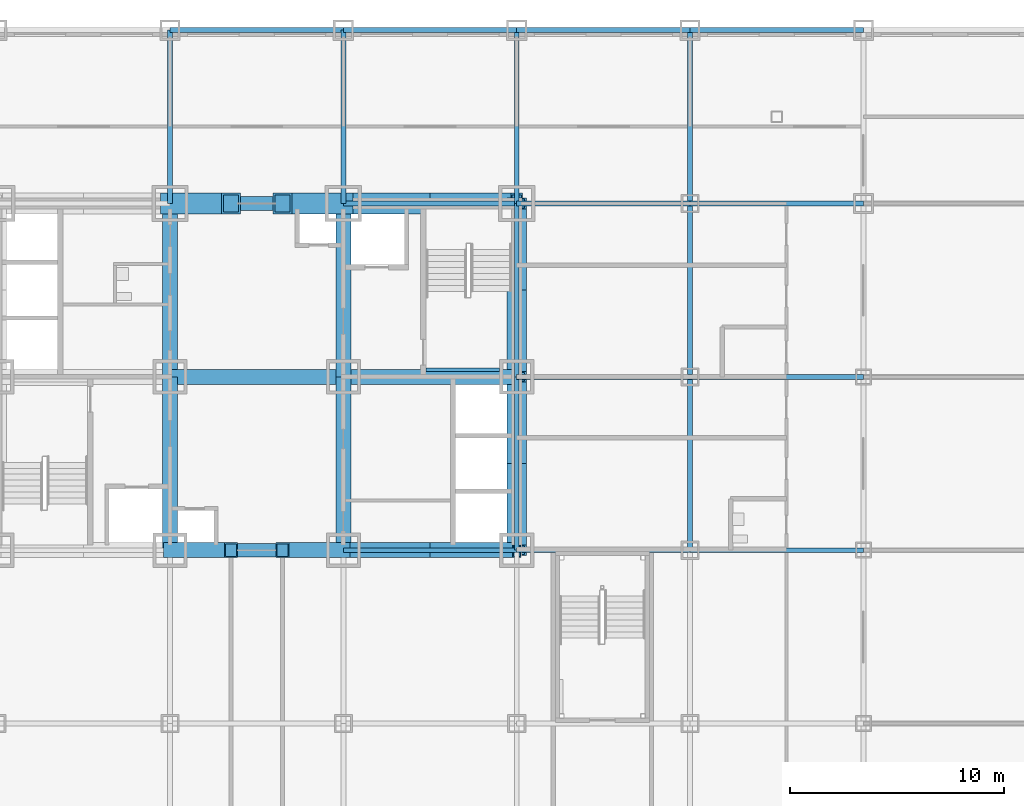
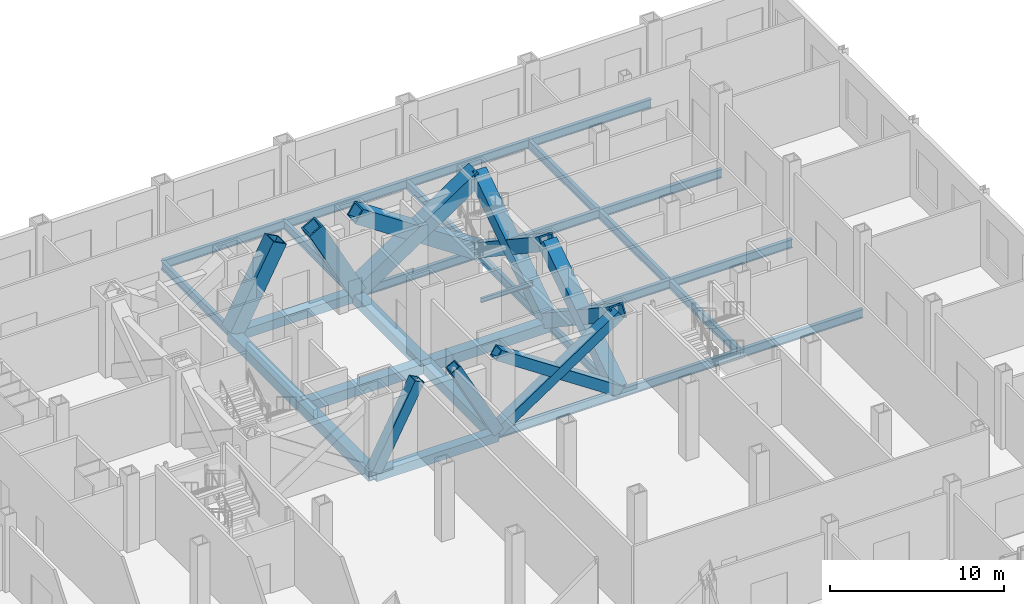
# One storey, part 16 of 30: 29 beams, 12 members.
"""IFC4 building model written with IfcOpenShell, lengths in metres."""

from ifc_helpers import new_model, si_unit, direction, frame, origin, origin_2d, place, context, subcontext, project, spatial, hollow_rectangle, i_section, extrude, material, material_profile, profile_set, type_object, element, save


model = new_model("IFC4")

# Units and contexts
model_context = context("Model", 3, precision=1e-05, world=origin(), true_north=direction((0.0, 1.0)))
body_context = subcontext(model_context, "Body", "Model", "MODEL_VIEW")
ifc_project = project(units=[si_unit("LENGTHUNIT", "METRE"), si_unit("AREAUNIT", "SQUARE_METRE"), si_unit("VOLUMEUNIT", "CUBIC_METRE"), si_unit("PLANEANGLEUNIT", "RADIAN"), si_unit("MASSUNIT", "GRAM", prefix="KILO")], contexts=[model_context])

# Site, building, storey
site_placement = place(None, origin())
site = spatial("IfcSite", under=ifc_project, at=site_placement, CompositionType="ELEMENT")
building_placement = place(site_placement, origin())
building = spatial("IfcBuilding", under=site, at=building_placement, Name="Kopane Lantern Tower", CompositionType="ELEMENT")
storey_placement = place(building_placement, frame((0.0, 0.0, 6.0)))
storey = spatial("IfcBuildingStorey", under=building, at=storey_placement, Name="L01", CompositionType="ELEMENT", Elevation=6.0)

# Members
ifc_material_1 = material(Name="Steel S355JR", Category="steel")
ifc_material_profile_1 = material_profile(ifc_material_1, hollow_rectangle(XDim=1.0, YDim=1.0, WallThickness=0.10009765625, at=origin_2d()), Name="BOX 1000x1000x100")
ifc_profile_set_1 = profile_set([ifc_material_profile_1], Name="Steel S355JR")
member_type_1 = type_object("IfcMemberType", Name="BRACE BOX 1000x1000x100", PredefinedType="BRACE", material=ifc_profile_set_1)
for number, where, z_axis, x_axis, name in (
    (1, (24.300048828125, 40.5, -0.25), (0.46674645747, 0.0, 0.88439117162), (0.0, 1.0, 0.0), "Core brace L01"),
    (2, (32.39990234375, 40.5, -0.25), (-0.46674645747, 0.0, 0.88439117162), (0.0, -1.0, 0.0), "Core brace L01"),
):
    element("IfcMember", number, at=place(storey_placement, frame(where, z_axis=z_axis, x_axis=x_axis)), inside=storey, type_object=member_type_1, Name=name, PredefinedType="BRACE", context=body_context, shape_type="SweptSolid", body=[
        extrude(hollow_rectangle(XDim=1.0, YDim=1.0, WallThickness=0.10009765625, at=origin_2d()), origin(), (0.0, 0.0, 1.0), 6.105712890625),
    ])
for number, where, z_axis, x_axis, name in (
    (3, (32.39990234375, 40.5, -0.25), (0.832058010752, 0.0, 0.55468862143), (0.0, 1.0, 0.0), "Core brace L01"),
    (4, (40.5, 40.5, -0.25), (-0.832058010752, 0.0, 0.55468862143), (0.0, -1.0, 0.0), "Core brace L01"),
):
    element("IfcMember", number, at=place(storey_placement, frame(where, z_axis=z_axis, x_axis=x_axis)), inside=storey, type_object=member_type_1, Name=name, PredefinedType="BRACE", context=body_context, shape_type="SweptSolid", body=[
        extrude(hollow_rectangle(XDim=1.0, YDim=1.0, WallThickness=0.10009765625, at=origin_2d()), origin(), (0.0, 0.0, 1.0), 9.735107421875),
    ])
ifc_material_2 = material(Name="Steel S355JR", Category="steel")
ifc_material_profile_2 = material_profile(ifc_material_2, hollow_rectangle(XDim=0.699951171875, YDim=0.699951171875, WallThickness=0.06005859375, at=origin_2d()), Name="BOX 700x700x60")
ifc_profile_set_2 = profile_set([ifc_material_profile_2], Name="Steel S355JR")
member_type_2 = type_object("IfcMemberType", Name="BRACE BOX 700x700x60", PredefinedType="BRACE", material=ifc_profile_set_2)
for number, where, z_axis, x_axis, name in (
    (5, (24.300048828125, 24.300048828125, -0.25), (0.46674645747, 0.0, 0.88439117162), (0.0, 1.0, 0.0), "Core brace L01"),
    (6, (32.39990234375, 24.300048828125, -0.25), (-0.46674645747, 0.0, 0.88439117162), (0.0, -1.0, 0.0), "Core brace L01"),
):
    element("IfcMember", number, at=place(storey_placement, frame(where, z_axis=z_axis, x_axis=x_axis)), inside=storey, type_object=member_type_2, Name=name, PredefinedType="BRACE", context=body_context, shape_type="SweptSolid", body=[
        extrude(hollow_rectangle(XDim=0.699951171875, YDim=0.699951171875, WallThickness=0.06005859375, at=origin_2d()), origin(), (0.0, 0.0, 1.0), 6.105712890625),
    ])
for number, where, z_axis, x_axis, name in (
    (7, (32.39990234375, 24.300048828125, -0.25), (0.832058010752, 0.0, 0.55468862143), (0.0, 1.0, 0.0), "Core brace L01"),
    (8, (40.5, 24.300048828125, -0.25), (-0.832058010752, 0.0, 0.55468862143), (0.0, -1.0, 0.0), "Core brace L01"),
):
    element("IfcMember", number, at=place(storey_placement, frame(where, z_axis=z_axis, x_axis=x_axis)), inside=storey, type_object=member_type_2, Name=name, PredefinedType="BRACE", context=body_context, shape_type="SweptSolid", body=[
        extrude(hollow_rectangle(XDim=0.699951171875, YDim=0.699951171875, WallThickness=0.06005859375, at=origin_2d()), origin(), (0.0, 0.0, 1.0), 9.735107421875),
    ])
ifc_material_3 = material(Name="Steel S355JR", Category="steel")
ifc_material_profile_3 = material_profile(ifc_material_3, hollow_rectangle(XDim=0.89990234375, YDim=0.89990234375, WallThickness=0.090087890625, at=origin_2d()), Name="BOX 900x900x90")
ifc_profile_set_3 = profile_set([ifc_material_profile_3], Name="Steel S355JR")
member_type_3 = type_object("IfcMemberType", Name="BRACE BOX 900x900x90", PredefinedType="BRACE", material=ifc_profile_set_3)
for number, where, z_axis, x_axis, name in (
    (9, (40.5, 24.300048828125, -0.25), (0.0, 0.832050294338, 0.554700196225), (-1.0, 0.0, 0.0), "Core brace L01"),
    (10, (40.5, 32.39990234375, -0.25), (0.0, -0.832050294338, 0.554700196225), (1.0, 0.0, 0.0), "Core brace L01"),
):
    element("IfcMember", number, at=place(storey_placement, frame(where, z_axis=z_axis, x_axis=x_axis)), inside=storey, type_object=member_type_3, Name=name, PredefinedType="BRACE", context=body_context, shape_type="SweptSolid", body=[
        extrude(hollow_rectangle(XDim=0.89990234375, YDim=0.89990234375, WallThickness=0.090087890625, at=origin_2d()), origin(), (0.0, 0.0, 1.0), 9.73486328125),
    ])
for number, where, z_axis, x_axis, name in (
    (11, (40.5, 32.39990234375, -0.25), (0.0, 0.832058010752, 0.55468862143), (-1.0, 0.0, 0.0), "Core brace L01"),
    (12, (40.5, 40.5, -0.25), (0.0, -0.832058010752, 0.55468862143), (1.0, 0.0, 0.0), "Core brace L01"),
):
    element("IfcMember", number, at=place(storey_placement, frame(where, z_axis=z_axis, x_axis=x_axis)), inside=storey, type_object=member_type_3, Name=name, PredefinedType="BRACE", context=body_context, shape_type="SweptSolid", body=[
        extrude(hollow_rectangle(XDim=0.89990234375, YDim=0.89990234375, WallThickness=0.090087890625, at=origin_2d()), origin(), (0.0, 0.0, 1.0), 9.735107421875),
    ])

# Beams
ifc_material_4 = material(Name="Steel S355JR", Category="steel")
ifc_material_profile_4 = material_profile(ifc_material_4, hollow_rectangle(XDim=0.699951171875, YDim=0.699951171875, WallThickness=0.06005859375, at=origin_2d()), Name="BOX 700x700x60")
ifc_profile_set_4 = profile_set([ifc_material_profile_4], Name="Steel S355JR")
beam_type_1 = type_object("IfcBeamType", Name="CORE BEAM BOX 700x700x60", PredefinedType="BEAM", material=ifc_profile_set_4)
beam_1_placement = place(storey_placement, frame((24.300048828125, 24.300048828125, -0.60009765625), z_axis=(0.0, 1.0, 0.0), x_axis=(-1.0, 0.0, 0.0)))
element("IfcBeam", 13, at=beam_1_placement, inside=storey, type_object=beam_type_1, Name="Core Beam L01", PredefinedType="BEAM", context=body_context, shape_type="SweptSolid", body=[
    extrude(hollow_rectangle(XDim=0.699951171875, YDim=0.699951171875, WallThickness=0.06005859375, at=origin_2d()), origin(), (0.0, 0.0, 1.0), 8.099853515625),
])
beam_2_placement = place(storey_placement, frame((24.300048828125, 32.39990234375, -0.60009765625), z_axis=(0.0, 1.0, 0.0), x_axis=(-1.0, 0.0, 0.0)))
element("IfcBeam", 14, at=beam_2_placement, inside=storey, type_object=beam_type_1, Name="Core Beam L01", PredefinedType="BEAM", context=body_context, shape_type="SweptSolid", body=[
    extrude(hollow_rectangle(XDim=0.699951171875, YDim=0.699951171875, WallThickness=0.06005859375, at=origin_2d()), origin(), (0.0, 0.0, 1.0), 8.10009765625),
])
for number, where, z_axis, x_axis, name in (
    (15, (24.300048828125, 32.39990234375, -0.60009765625), (1.0, 0.0, 0.0), (0.0, 1.0, 0.0), "Core Beam L01"),
    (16, (32.39990234375, 24.300048828125, -0.60009765625), (0.0, 1.0, 0.0), (-1.0, 0.0, 0.0), "Core Beam L01"),
):
    element("IfcBeam", number, at=place(storey_placement, frame(where, z_axis=z_axis, x_axis=x_axis)), inside=storey, type_object=beam_type_1, Name=name, PredefinedType="BEAM", context=body_context, shape_type="SweptSolid", body=[
        extrude(hollow_rectangle(XDim=0.699951171875, YDim=0.699951171875, WallThickness=0.06005859375, at=origin_2d()), origin(), (0.0, 0.0, 1.0), 8.099853515625),
    ])
for number, where, z_axis, x_axis, name in (
    (17, (32.39990234375, 32.39990234375, -0.60009765625), (0.0, 1.0, 0.0), (-1.0, 0.0, 0.0), "Core Beam L01"),
    (18, (32.39990234375, 32.39990234375, -0.60009765625), (1.0, 0.0, 0.0), (0.0, 1.0, 0.0), "Core Beam L01"),
):
    element("IfcBeam", number, at=place(storey_placement, frame(where, z_axis=z_axis, x_axis=x_axis)), inside=storey, type_object=beam_type_1, Name=name, PredefinedType="BEAM", context=body_context, shape_type="SweptSolid", body=[
        extrude(hollow_rectangle(XDim=0.699951171875, YDim=0.699951171875, WallThickness=0.06005859375, at=origin_2d()), origin(), (0.0, 0.0, 1.0), 8.10009765625),
    ])
ifc_material_5 = material(Name="Steel S355JR", Category="steel")
ifc_material_profile_5 = material_profile(ifc_material_5, i_section(OverallWidth=0.22900390625, OverallDepth=0.6123046875, WebThickness=0.011962890625, FlangeThickness=0.01953125, FilletRadius=0.0126953125, at=origin_2d()), Name="UB 610x229x125")
ifc_profile_set_5 = profile_set([ifc_material_profile_5], Name="Steel S355JR")
beam_type_2 = type_object("IfcBeamType", Name="GIRDER UB 610x229x125", PredefinedType="BEAM", material=ifc_profile_set_5)
beam_3_placement = place(storey_placement, frame((24.300048828125, 40.5, -0.55615234375), z_axis=(0.0, 1.0, 0.0), x_axis=(-1.0, 0.0, 0.0)))
element("IfcBeam", 19, at=beam_3_placement, inside=storey, type_object=beam_type_2, Name="Girder L01", PredefinedType="BEAM", context=body_context, shape_type="SweptSolid", body=[
    extrude(i_section(OverallWidth=0.22900390625, OverallDepth=0.6123046875, WebThickness=0.011962890625, FlangeThickness=0.01953125, FilletRadius=0.0126953125, at=origin_2d()), origin(), (0.0, 0.0, 1.0), 8.10009765625),
])
beam_4_placement = place(storey_placement, frame((24.300048828125, 48.60009765625, -0.55615234375), z_axis=(1.0, 0.0, 0.0), x_axis=(0.0, 1.0, 0.0)))
element("IfcBeam", 20, at=beam_4_placement, inside=storey, type_object=beam_type_2, Name="Girder L01", PredefinedType="BEAM", context=body_context, shape_type="SweptSolid", body=[
    extrude(i_section(OverallWidth=0.22900390625, OverallDepth=0.6123046875, WebThickness=0.011962890625, FlangeThickness=0.01953125, FilletRadius=0.0126953125, at=origin_2d()), origin(), (0.0, 0.0, 1.0), 8.099853515625),
])
for number, where, z_axis, x_axis, name in (
    (21, (32.39990234375, 24.300048828125, -0.55615234375), (1.0, 0.0, 0.0), (0.0, 1.0, 0.0), "Girder L01"),
    (22, (32.39990234375, 40.5, -0.55615234375), (0.0, 1.0, 0.0), (-1.0, 0.0, 0.0), "Girder L01"),
    (23, (32.39990234375, 40.5, -0.55615234375), (1.0, 0.0, 0.0), (0.0, 1.0, 0.0), "Girder L01"),
    (24, (32.39990234375, 48.60009765625, -0.55615234375), (1.0, 0.0, 0.0), (0.0, 1.0, 0.0), "Girder L01"),
):
    element("IfcBeam", number, at=place(storey_placement, frame(where, z_axis=z_axis, x_axis=x_axis)), inside=storey, type_object=beam_type_2, Name=name, PredefinedType="BEAM", context=body_context, shape_type="SweptSolid", body=[
        extrude(i_section(OverallWidth=0.22900390625, OverallDepth=0.6123046875, WebThickness=0.011962890625, FlangeThickness=0.01953125, FilletRadius=0.0126953125, at=origin_2d()), origin(), (0.0, 0.0, 1.0), 8.10009765625),
    ])
beam_5_placement = place(storey_placement, frame((40.5, 24.300048828125, -0.55615234375), z_axis=(0.0, 1.0, 0.0), x_axis=(-1.0, 0.0, 0.0)))
element("IfcBeam", 25, at=beam_5_placement, inside=storey, type_object=beam_type_2, Name="Girder L01", PredefinedType="BEAM", context=body_context, shape_type="SweptSolid", body=[
    extrude(i_section(OverallWidth=0.22900390625, OverallDepth=0.6123046875, WebThickness=0.011962890625, FlangeThickness=0.01953125, FilletRadius=0.0126953125, at=origin_2d()), origin(), (0.0, 0.0, 1.0), 8.099853515625),
])
for number, where, z_axis, x_axis, name in (
    (26, (40.5, 24.300048828125, -0.55615234375), (1.0, 0.0, 0.0), (0.0, 1.0, 0.0), "Girder L01"),
    (27, (40.5, 32.39990234375, -0.55615234375), (0.0, 1.0, 0.0), (-1.0, 0.0, 0.0), "Girder L01"),
    (28, (40.5, 32.39990234375, -0.55615234375), (1.0, 0.0, 0.0), (0.0, 1.0, 0.0), "Girder L01"),
    (29, (40.5, 40.5, -0.55615234375), (0.0, 1.0, 0.0), (-1.0, 0.0, 0.0), "Girder L01"),
    (30, (40.5, 40.5, -0.55615234375), (1.0, 0.0, 0.0), (0.0, 1.0, 0.0), "Girder L01"),
    (31, (40.5, 48.60009765625, -0.55615234375), (1.0, 0.0, 0.0), (0.0, 1.0, 0.0), "Girder L01"),
):
    element("IfcBeam", number, at=place(storey_placement, frame(where, z_axis=z_axis, x_axis=x_axis)), inside=storey, type_object=beam_type_2, Name=name, PredefinedType="BEAM", context=body_context, shape_type="SweptSolid", body=[
        extrude(i_section(OverallWidth=0.22900390625, OverallDepth=0.6123046875, WebThickness=0.011962890625, FlangeThickness=0.01953125, FilletRadius=0.0126953125, at=origin_2d()), origin(), (0.0, 0.0, 1.0), 8.10009765625),
    ])
for number, where, z_axis, x_axis, name in (
    (32, (48.60009765625, 24.300048828125, -0.55615234375), (0.0, 1.0, 0.0), (-1.0, 0.0, 0.0), "Girder L01"),
    (33, (48.60009765625, 24.300048828125, -0.55615234375), (1.0, 0.0, 0.0), (0.0, 1.0, 0.0), "Girder L01"),
):
    element("IfcBeam", number, at=place(storey_placement, frame(where, z_axis=z_axis, x_axis=x_axis)), inside=storey, type_object=beam_type_2, Name=name, PredefinedType="BEAM", context=body_context, shape_type="SweptSolid", body=[
        extrude(i_section(OverallWidth=0.22900390625, OverallDepth=0.6123046875, WebThickness=0.011962890625, FlangeThickness=0.01953125, FilletRadius=0.0126953125, at=origin_2d()), origin(), (0.0, 0.0, 1.0), 8.099853515625),
    ])
beam_6_placement = place(storey_placement, frame((48.60009765625, 32.39990234375, -0.55615234375), z_axis=(0.0, 1.0, 0.0), x_axis=(-1.0, 0.0, 0.0)))
element("IfcBeam", 34, at=beam_6_placement, inside=storey, type_object=beam_type_2, Name="Girder L01", PredefinedType="BEAM", context=body_context, shape_type="SweptSolid", body=[
    extrude(i_section(OverallWidth=0.22900390625, OverallDepth=0.6123046875, WebThickness=0.011962890625, FlangeThickness=0.01953125, FilletRadius=0.0126953125, at=origin_2d()), origin(), (0.0, 0.0, 1.0), 8.10009765625),
])
beam_7_placement = place(storey_placement, frame((48.60009765625, 32.39990234375, -0.55615234375), z_axis=(1.0, 0.0, 0.0), x_axis=(0.0, 1.0, 0.0)))
element("IfcBeam", 35, at=beam_7_placement, inside=storey, type_object=beam_type_2, Name="Girder L01", PredefinedType="BEAM", context=body_context, shape_type="SweptSolid", body=[
    extrude(i_section(OverallWidth=0.22900390625, OverallDepth=0.6123046875, WebThickness=0.011962890625, FlangeThickness=0.01953125, FilletRadius=0.0126953125, at=origin_2d()), origin(), (0.0, 0.0, 1.0), 8.099853515625),
])
beam_8_placement = place(storey_placement, frame((48.60009765625, 40.5, -0.55615234375), z_axis=(0.0, 1.0, 0.0), x_axis=(-1.0, 0.0, 0.0)))
element("IfcBeam", 36, at=beam_8_placement, inside=storey, type_object=beam_type_2, Name="Girder L01", PredefinedType="BEAM", context=body_context, shape_type="SweptSolid", body=[
    extrude(i_section(OverallWidth=0.22900390625, OverallDepth=0.6123046875, WebThickness=0.011962890625, FlangeThickness=0.01953125, FilletRadius=0.0126953125, at=origin_2d()), origin(), (0.0, 0.0, 1.0), 8.10009765625),
])
for number, where, z_axis, x_axis, name in (
    (37, (48.60009765625, 40.5, -0.55615234375), (1.0, 0.0, 0.0), (0.0, 1.0, 0.0), "Girder L01"),
    (38, (48.60009765625, 48.60009765625, -0.55615234375), (1.0, 0.0, 0.0), (0.0, 1.0, 0.0), "Girder L01"),
):
    element("IfcBeam", number, at=place(storey_placement, frame(where, z_axis=z_axis, x_axis=x_axis)), inside=storey, type_object=beam_type_2, Name=name, PredefinedType="BEAM", context=body_context, shape_type="SweptSolid", body=[
        extrude(i_section(OverallWidth=0.22900390625, OverallDepth=0.6123046875, WebThickness=0.011962890625, FlangeThickness=0.01953125, FilletRadius=0.0126953125, at=origin_2d()), origin(), (0.0, 0.0, 1.0), 8.099853515625),
    ])
ifc_material_6 = material(Name="Steel S355JR", Category="steel")
ifc_material_profile_6 = material_profile(ifc_material_6, hollow_rectangle(XDim=0.64990234375, YDim=0.64990234375, WallThickness=0.070068359375, at=origin_2d()), Name="BOX 650x650x70")
ifc_profile_set_6 = profile_set([ifc_material_profile_6], Name="Steel S355JR")
beam_type_3 = type_object("IfcBeamType", Name="LINK BEAM BOX 650x650x70", PredefinedType="BEAM", material=ifc_profile_set_6)
for number, where, z_axis, x_axis, name in (
    (39, (24.300048828125, 24.300048828125, -0.574951171875), (1.0, 0.0, 0.0), (0.0, 1.0, 0.0), "Link Beam L01"),
    (40, (24.300048828125, 40.5, -0.574951171875), (1.0, 0.0, 0.0), (0.0, 1.0, 0.0), "Link Beam L01"),
):
    element("IfcBeam", number, at=place(storey_placement, frame(where, z_axis=z_axis, x_axis=x_axis)), inside=storey, type_object=beam_type_3, Name=name, PredefinedType="BEAM", context=body_context, shape_type="SweptSolid", body=[
        extrude(hollow_rectangle(XDim=0.64990234375, YDim=0.64990234375, WallThickness=0.070068359375, at=origin_2d()), origin(), (0.0, 0.0, 1.0), 8.099853515625),
    ])
ifc_material_7 = material(Name="Steel S355JR", Category="steel")
ifc_material_profile_7 = material_profile(ifc_material_7, i_section(OverallWidth=0.1650390625, OverallDepth=0.303466796875, WebThickness=0.006103515625, FlangeThickness=0.01025390625, FilletRadius=0.0087890625, at=origin_2d()), Name="UB 305x165x40")
ifc_profile_set_7 = profile_set([ifc_material_profile_7], Name="Steel S355JR")
beam_type_4 = type_object("IfcBeamType", Name="STAIR LANDING BEAM UB 305x165x40", PredefinedType="BEAM", material=ifc_profile_set_7)
beam_9_placement = place(storey_placement, frame((39.699951171875, 32.732421875, 2.348388671875), z_axis=(-1.0, 0.0, 0.0), x_axis=(0.0, -1.0, 0.0)))
element("IfcBeam", 41, at=beam_9_placement, inside=storey, type_object=beam_type_4, Name="Stair landing beam ST2 L01", PredefinedType="BEAM", context=body_context, shape_type="SweptSolid", body=[
    extrude(i_section(OverallWidth=0.1650390625, OverallDepth=0.303466796875, WebThickness=0.006103515625, FlangeThickness=0.01025390625, FilletRadius=0.0087890625, at=origin_2d()), origin(), (0.0, 0.0, 1.0), 3.449951171875),
])

save(model, "model.ifc")
